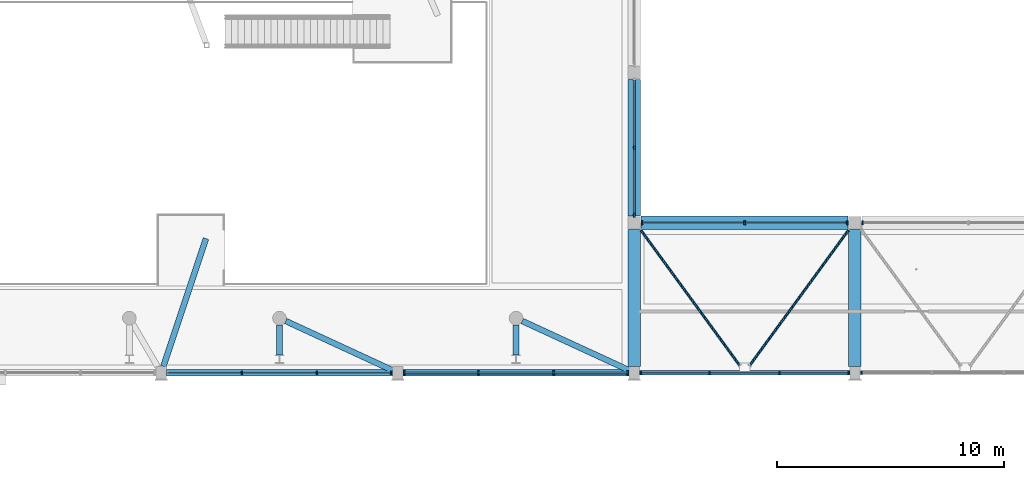
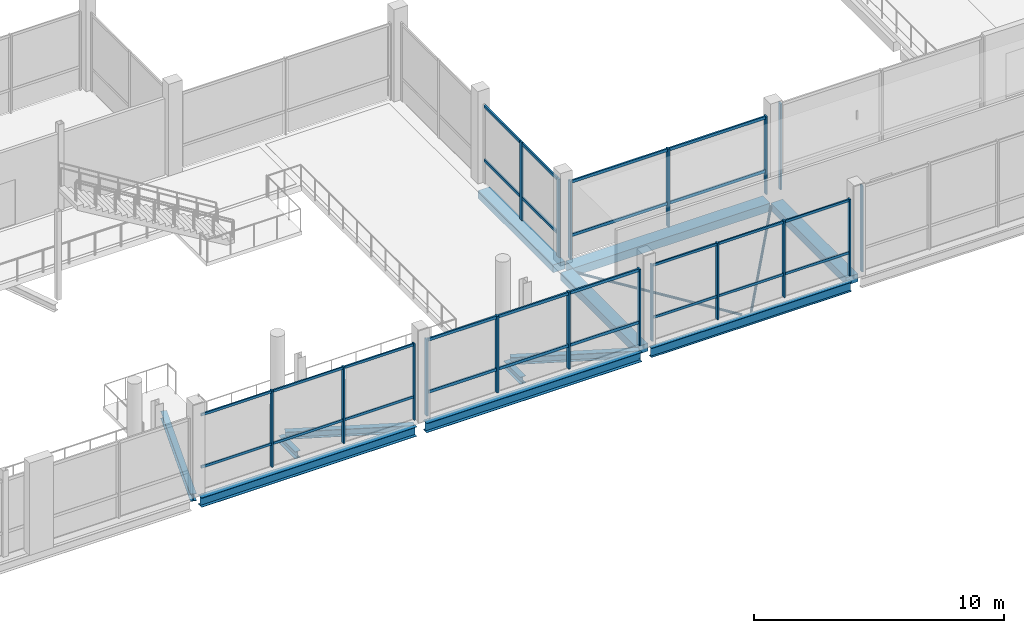
# One storey, part 29 of 95: 30 members, 12 beams, 7 elements without a shape of their own.
"""IFC4 building model written with IfcOpenShell, lengths in metres."""

from ifc_helpers import new_model, si_unit, derived_unit, direction, frame, origin, origin_2d, place, context, subcontext, project, spatial, rectangle, hollow_circle, i_section, extrude, material, material_profile, profile_set, type_object, element, aggregate, save


model = new_model("IFC4")

# Units and contexts
model_context = context("Model", 3, precision=1e-05, world=origin(), true_north=direction((0.0, 1.0)))
body_context = subcontext(model_context, "Body", "Model", "MODEL_VIEW")
ifc_project = project(units=[si_unit("LENGTHUNIT", "METRE"), si_unit("AREAUNIT", "SQUARE_METRE"), si_unit("VOLUMEUNIT", "CUBIC_METRE"), si_unit("PLANEANGLEUNIT", "RADIAN"), si_unit("MASSUNIT", "GRAM", prefix="KILO"), derived_unit("THERMALTRANSMITTANCEUNIT", [(si_unit("POWERUNIT", "WATT"), 1), (si_unit("LENGTHUNIT", "METRE"), -2), (si_unit("THERMODYNAMICTEMPERATUREUNIT", "KELVIN"), -1)])], contexts=[model_context])

# Site, building, storey
site_placement = place(None, origin())
site = spatial("IfcSite", under=ifc_project, at=site_placement, CompositionType="ELEMENT")
building_placement = place(site_placement, origin())
building = spatial("IfcBuilding", under=site, at=building_placement, Name="Braskholm Square Health Centre", CompositionType="ELEMENT")
storey_placement = place(building_placement, frame((0.0, 0.0, 4.800048828125)))
storey = spatial("IfcBuildingStorey", under=building, at=storey_placement, Name="L02", CompositionType="ELEMENT", Elevation=4.800048828125)

# Members
ifc_material_1 = material(Name="Steel ASTM A500 Grade C", Category="steel")
ifc_material_profile_1 = material_profile(ifc_material_1, hollow_circle(Radius=0.05712890625, WallThickness=0.005615234375, at=origin_2d()), Name="HSS4.500X0.237")
ifc_profile_set_1 = profile_set([ifc_material_profile_1], Name="Steel ASTM A500 Grade C")
member_type_1 = type_object("IfcMemberType", Name="CanopyBraceCHS114", PredefinedType="BRACE", material=ifc_profile_set_1)
for number, where, z_axis, x_axis, name in (
    (1, (120.679931640625, 93.47998046875, -0.449951171875), (0.589551927486, -0.807730477819, 0.0), (0.807730477819, 0.589551927486, 0.0), "Concourse arcade chevron brace 03A"),
    (2, (129.820068359375, 93.47998046875, -0.449951171875), (-0.589551927486, -0.807730477819, 0.0), (0.807730477819, -0.589551927486, 0.0), "Concourse arcade chevron brace 03B"),
):
    element("IfcMember", number, at=place(storey_placement, frame(where, z_axis=z_axis, x_axis=x_axis)), inside=storey, type_object=member_type_1, Name=name, PredefinedType="BRACE", context=body_context, shape_type="SweptSolid", body=[
        extrude(hollow_circle(Radius=0.05712890625, WallThickness=0.005615234375, at=origin_2d()), origin(), (0.0, 0.0, 1.0), 7.378662109375),
    ])

# Curtain wall, members
ifc_material_2 = material(Name="Low-E triple insulating glass (VLT 0.64)", Category="glass")
curtain_wall_type_1 = type_object("IfcCurtainWallType", Name="UnitisedCurtainWall6200x3800", PredefinedType="NOTDEFINED", material=ifc_material_2)
curtain_wall_1_placement = place(storey_placement, origin())
curtain_wall_1 = element("IfcCurtainWall", 3, at=curtain_wall_1_placement, inside=storey, type_object=curtain_wall_type_1, Name="Hall Gallery L02 unitised curtain wall CW-L02-0196", PredefinedType="NOTDEFINED")
ifc_material_3 = material(Name="Architectural bronze anodised aluminium", Category="aluminium")
ifc_material_profile_2 = material_profile(ifc_material_3, rectangle(XDim=0.06494140625, YDim=0.14990234375, at=origin_2d()), Name="ALU-65X150")
ifc_profile_set_2 = profile_set([ifc_material_profile_2], Name="Architectural bronze anodised aluminium")
member_type_2 = type_object("IfcMemberType", Name="CurtainWallMullion65x150", PredefinedType="MULLION", material=ifc_profile_set_2)
member_1_placement = place(storey_placement, frame((103.14404296875, 87.199951171875, 0.0), z_axis=(0.0, 0.0, 1.0), x_axis=(1.0, 0.0, 0.0)))
member_1 = element("IfcMember", 4, at=member_1_placement, type_object=member_type_2, Name="CW-L02-0196 vertical mullion 2", PredefinedType="MULLION", context=body_context, shape_type="SweptSolid", body=[
    extrude(rectangle(XDim=0.06494140625, YDim=0.14990234375, at=origin_2d()), origin(), (0.0, 0.0, 1.0), 3.737060546875),
])
member_2_placement = place(storey_placement, frame((106.4560546875, 87.199951171875, 0.0), z_axis=(0.0, 0.0, 1.0), x_axis=(1.0, 0.0, 0.0)))
member_2 = element("IfcMember", 5, at=member_2_placement, type_object=member_type_2, Name="CW-L02-0196 vertical mullion 3", PredefinedType="MULLION", context=body_context, shape_type="SweptSolid", body=[
    extrude(rectangle(XDim=0.06494140625, YDim=0.14990234375, at=origin_2d()), origin(), (0.0, 0.0, 1.0), 3.737060546875),
])
member_3_placement = place(storey_placement, frame((109.70849609375, 87.199951171875, 0.0), z_axis=(0.0, 0.0, 1.0), x_axis=(1.0, 0.0, 0.0)))
member_3 = element("IfcMember", 6, at=member_3_placement, type_object=member_type_2, Name="CW-L02-0196 vertical mullion 4", PredefinedType="MULLION", context=body_context, shape_type="SweptSolid", body=[
    extrude(rectangle(XDim=0.06494140625, YDim=0.14990234375, at=origin_2d()), origin(), (0.0, 0.0, 1.0), 3.737060546875),
])

curtain_wall_2_placement = place(storey_placement, origin())
curtain_wall_2 = element("IfcCurtainWall", 7, at=curtain_wall_2_placement, inside=storey, type_object=curtain_wall_type_1, Name="Hall Gallery L02 unitised curtain wall CW-L02-0202", PredefinedType="NOTDEFINED")
member_4_placement = place(storey_placement, frame((120.6875, 87.199951171875, 0.0), z_axis=(0.0, 0.0, 1.0), x_axis=(1.0, 0.0, 0.0)))
member_4 = element("IfcMember", 8, at=member_4_placement, type_object=member_type_2, Name="CW-L02-0202 vertical mullion 1", PredefinedType="MULLION", context=body_context, shape_type="SweptSolid", body=[
    extrude(rectangle(XDim=0.06494140625, YDim=0.14990234375, at=origin_2d()), origin(), (0.0, 0.0, 1.0), 3.739990234375),
])
member_5_placement = place(storey_placement, frame((123.710693359375, 87.199951171875, 0.0), z_axis=(0.0, 0.0, 1.0), x_axis=(1.0, 0.0, 0.0)))
member_5 = element("IfcMember", 9, at=member_5_placement, type_object=member_type_2, Name="CW-L02-0202 vertical mullion 2", PredefinedType="MULLION", context=body_context, shape_type="SweptSolid", body=[
    extrude(rectangle(XDim=0.06494140625, YDim=0.14990234375, at=origin_2d()), origin(), (0.0, 0.0, 1.0), 3.739990234375),
])
member_6_placement = place(storey_placement, frame((126.789306640625, 87.199951171875, 0.0), z_axis=(0.0, 0.0, 1.0), x_axis=(1.0, 0.0, 0.0)))
member_6 = element("IfcMember", 10, at=member_6_placement, type_object=member_type_2, Name="CW-L02-0202 vertical mullion 3", PredefinedType="MULLION", context=body_context, shape_type="SweptSolid", body=[
    extrude(rectangle(XDim=0.06494140625, YDim=0.14990234375, at=origin_2d()), origin(), (0.0, 0.0, 1.0), 3.739990234375),
])
member_7_placement = place(storey_placement, frame((129.8125, 87.199951171875, 0.0), z_axis=(0.0, 0.0, 1.0), x_axis=(1.0, 0.0, 0.0)))
member_7 = element("IfcMember", 11, at=member_7_placement, type_object=member_type_2, Name="CW-L02-0202 vertical mullion 4", PredefinedType="MULLION", context=body_context, shape_type="SweptSolid", body=[
    extrude(rectangle(XDim=0.06494140625, YDim=0.14990234375, at=origin_2d()), origin(), (0.0, 0.0, 1.0), 3.739990234375),
])

# Curtain wall, member
curtain_wall_type_2 = type_object("IfcCurtainWallType", Name="UnitisedCurtainWall6200x4100", PredefinedType="NOTDEFINED", material=ifc_material_2)
curtain_wall_3_placement = place(storey_placement, origin())
curtain_wall_3 = element("IfcCurtainWall", 12, at=curtain_wall_3_placement, inside=storey, type_object=curtain_wall_type_2, Name="Hall Gallery L02 unitised curtain wall CW-L02-0208", PredefinedType="NOTDEFINED")
member_8_placement = place(storey_placement, frame((130.388916015625, 87.199951171875, 0.0), z_axis=(0.0, 0.0, 1.0), x_axis=(1.0, 0.0, 0.0)))
member_8 = element("IfcMember", 13, at=member_8_placement, type_object=member_type_2, Name="CW-L02-0208 vertical mullion 1", PredefinedType="MULLION", context=body_context, shape_type="SweptSolid", body=[
    extrude(rectangle(XDim=0.06494140625, YDim=0.14990234375, at=origin_2d()), origin(), (0.0, 0.0, 1.0), 4.199951171875),
])
aggregate(curtain_wall_3, [member_8])

# Curtain wall, members
curtain_wall_4_placement = place(storey_placement, origin())
curtain_wall_4 = element("IfcCurtainWall", 14, at=curtain_wall_4_placement, inside=storey, type_object=curtain_wall_type_1, Name="Hall Gallery L02 unitised curtain wall CW-L02-0199", PredefinedType="NOTDEFINED")
ifc_material_profile_3 = material_profile(ifc_material_3, rectangle(XDim=0.074951171875, YDim=0.179931640625, at=origin_2d()), Name="ALU-75X180")
ifc_profile_set_3 = profile_set([ifc_material_profile_3], Name="Architectural bronze anodised aluminium")
member_type_3 = type_object("IfcMemberType", Name="CurtainWallMullion75x180", PredefinedType="MULLION", material=ifc_profile_set_3)
member_9_placement = place(storey_placement, frame((110.29150390625, 87.199951171875, 0.0), z_axis=(0.0, 0.0, 1.0), x_axis=(1.0, 0.0, 0.0)))
member_9 = element("IfcMember", 15, at=member_9_placement, type_object=member_type_3, Name="CW-L02-0199 vertical mullion 1", PredefinedType="MULLION", context=body_context, shape_type="SweptSolid", body=[
    extrude(rectangle(XDim=0.074951171875, YDim=0.179931640625, at=origin_2d()), origin(), (0.0, 0.0, 1.0), 3.737060546875),
])
member_10_placement = place(storey_placement, frame((113.5439453125, 87.199951171875, 0.0), z_axis=(0.0, 0.0, 1.0), x_axis=(1.0, 0.0, 0.0)))
member_10 = element("IfcMember", 16, at=member_10_placement, type_object=member_type_3, Name="CW-L02-0199 vertical mullion 2", PredefinedType="MULLION", context=body_context, shape_type="SweptSolid", body=[
    extrude(rectangle(XDim=0.074951171875, YDim=0.179931640625, at=origin_2d()), origin(), (0.0, 0.0, 1.0), 3.737060546875),
])
member_11_placement = place(storey_placement, frame((116.85595703125, 87.199951171875, 0.0), z_axis=(0.0, 0.0, 1.0), x_axis=(1.0, 0.0, 0.0)))
member_11 = element("IfcMember", 17, at=member_11_placement, type_object=member_type_3, Name="CW-L02-0199 vertical mullion 3", PredefinedType="MULLION", context=body_context, shape_type="SweptSolid", body=[
    extrude(rectangle(XDim=0.074951171875, YDim=0.179931640625, at=origin_2d()), origin(), (0.0, 0.0, 1.0), 3.737060546875),
])
member_12_placement = place(storey_placement, frame((120.1083984375, 87.199951171875, 0.0), z_axis=(0.0, 0.0, 1.0), x_axis=(1.0, 0.0, 0.0)))
member_12 = element("IfcMember", 18, at=member_12_placement, type_object=member_type_3, Name="CW-L02-0199 vertical mullion 4", PredefinedType="MULLION", context=body_context, shape_type="SweptSolid", body=[
    extrude(rectangle(XDim=0.074951171875, YDim=0.179931640625, at=origin_2d()), origin(), (0.0, 0.0, 1.0), 3.737060546875),
])

curtain_wall_5_placement = place(storey_placement, origin())
curtain_wall_5 = element("IfcCurtainWall", 19, at=curtain_wall_5_placement, inside=storey, type_object=curtain_wall_type_1, Name="Portal North L02 unitised curtain wall CW-L02-0205", PredefinedType="NOTDEFINED")
member_13_placement = place(storey_placement, frame((129.76806640625, 93.800048828125, 0.0), z_axis=(0.0, 0.0, 1.0), x_axis=(1.0, 0.0, 0.0)))
member_13 = element("IfcMember", 20, at=member_13_placement, type_object=member_type_3, Name="CW-L02-0205 vertical mullion 1", PredefinedType="MULLION", context=body_context, shape_type="SweptSolid", body=[
    extrude(rectangle(XDim=0.074951171875, YDim=0.179931640625, at=origin_2d()), origin(), (0.0, 0.0, 1.0), 3.800048828125),
])
member_14_placement = place(storey_placement, frame((125.25, 93.800048828125, 0.0), z_axis=(0.0, 0.0, 1.0), x_axis=(1.0, 0.0, 0.0)))
member_14 = element("IfcMember", 21, at=member_14_placement, type_object=member_type_3, Name="CW-L02-0205 vertical mullion 2", PredefinedType="MULLION", context=body_context, shape_type="SweptSolid", body=[
    extrude(rectangle(XDim=0.074951171875, YDim=0.179931640625, at=origin_2d()), origin(), (0.0, 0.0, 1.0), 3.800048828125),
])
member_15_placement = place(storey_placement, frame((120.73193359375, 93.800048828125, 0.0), z_axis=(0.0, 0.0, 1.0), x_axis=(1.0, 0.0, 0.0)))
member_15 = element("IfcMember", 22, at=member_15_placement, type_object=member_type_3, Name="CW-L02-0205 vertical mullion 3", PredefinedType="MULLION", context=body_context, shape_type="SweptSolid", body=[
    extrude(rectangle(XDim=0.074951171875, YDim=0.179931640625, at=origin_2d()), origin(), (0.0, 0.0, 1.0), 3.800048828125),
])

# Curtain wall, member
curtain_wall_6_placement = place(storey_placement, origin())
curtain_wall_6 = element("IfcCurtainWall", 23, at=curtain_wall_6_placement, inside=storey, type_object=curtain_wall_type_2, Name="Portal North L02 unitised curtain wall CW-L02-0211", PredefinedType="NOTDEFINED")
member_16_placement = place(storey_placement, frame((130.43359375, 93.800048828125, 0.0), z_axis=(0.0, 0.0, 1.0), x_axis=(1.0, 0.0, 0.0)))
member_16 = element("IfcMember", 24, at=member_16_placement, type_object=member_type_3, Name="CW-L02-0211 vertical mullion 3", PredefinedType="MULLION", context=body_context, shape_type="SweptSolid", body=[
    extrude(rectangle(XDim=0.074951171875, YDim=0.179931640625, at=origin_2d()), origin(), (0.0, 0.0, 1.0), 4.199951171875),
])
aggregate(curtain_wall_6, [member_16])

# Curtain wall, members
curtain_wall_7_placement = place(storey_placement, origin())
curtain_wall_7 = element("IfcCurtainWall", 25, at=curtain_wall_7_placement, inside=storey, type_object=curtain_wall_type_1, Name="Hall Cheek L02 unitised curtain wall CW-L02-0223", PredefinedType="NOTDEFINED")
member_17_placement = place(storey_placement, frame((120.39990234375, 94.135986328125, 0.0), z_axis=(0.0, 0.0, 1.0), x_axis=(1.0, 0.0, 0.0)))
member_17 = element("IfcMember", 26, at=member_17_placement, type_object=member_type_3, Name="CW-L02-0223 vertical mullion 1", PredefinedType="MULLION", context=body_context, shape_type="SweptSolid", body=[
    extrude(rectangle(XDim=0.074951171875, YDim=0.179931640625, at=origin_2d()), origin(), (0.0, 0.0, 1.0), 3.820068359375),
])
member_18_placement = place(storey_placement, frame((120.39990234375, 97.10009765625, 0.0), z_axis=(0.0, 0.0, 1.0), x_axis=(1.0, 0.0, 0.0)))
member_18 = element("IfcMember", 27, at=member_18_placement, type_object=member_type_3, Name="CW-L02-0223 vertical mullion 2", PredefinedType="MULLION", context=body_context, shape_type="SweptSolid", body=[
    extrude(rectangle(XDim=0.074951171875, YDim=0.179931640625, at=origin_2d()), origin(), (0.0, 0.0, 1.0), 3.820068359375),
])

# Member
ifc_material_profile_4 = material_profile(ifc_material_3, rectangle(XDim=0.06494140625, YDim=0.1201171875, at=origin_2d()), Name="ALU-65X120")
ifc_profile_set_4 = profile_set([ifc_material_profile_4], Name="Architectural bronze anodised aluminium")
member_type_4 = type_object("IfcMemberType", Name="CurtainWallTransom65x120", PredefinedType="USERDEFINED", material=ifc_profile_set_4)
member_19_placement = place(storey_placement, frame((99.876953125, 87.199951171875, 1.119873046875), z_axis=(1.0, 0.0, 0.0), x_axis=(0.0, 1.0, 0.0)))
member_19 = element("IfcMember", 28, at=member_19_placement, type_object=member_type_4, Name="CW-L02-0196 horizontal transom 1", ObjectType="TRANSOM", PredefinedType="USERDEFINED", context=body_context, shape_type="SweptSolid", body=[
    extrude(rectangle(XDim=0.06494140625, YDim=0.1201171875, at=origin_2d()), origin(), (0.0, 0.0, 1.0), 9.845947265625),
])

member_20_placement = place(storey_placement, frame((99.876953125, 87.199951171875, 3.6669921875), z_axis=(1.0, 0.0, 0.0), x_axis=(0.0, 1.0, 0.0)))
member_20 = element("IfcMember", 29, at=member_20_placement, type_object=member_type_4, Name="CW-L02-0196 horizontal transom 2", ObjectType="TRANSOM", PredefinedType="USERDEFINED", context=body_context, shape_type="SweptSolid", body=[
    extrude(rectangle(XDim=0.06494140625, YDim=0.1201171875, at=origin_2d()), origin(), (0.0, 0.0, 1.0), 9.845947265625),
])

aggregate(curtain_wall_1, [member_1, member_2, member_3, member_19, member_20])

member_21_placement = place(storey_placement, frame((120.677001953125, 87.199951171875, 1.119873046875), z_axis=(1.0, 0.0, 0.0), x_axis=(0.0, 1.0, 0.0)))
member_21 = element("IfcMember", 30, at=member_21_placement, type_object=member_type_4, Name="CW-L02-0202 horizontal transom 1", ObjectType="TRANSOM", PredefinedType="USERDEFINED", context=body_context, shape_type="SweptSolid", body=[
    extrude(rectangle(XDim=0.06494140625, YDim=0.1201171875, at=origin_2d()), origin(), (0.0, 0.0, 1.0), 9.14599609375),
])

member_22_placement = place(storey_placement, frame((120.677001953125, 87.199951171875, 3.669921875), z_axis=(1.0, 0.0, 0.0), x_axis=(0.0, 1.0, 0.0)))
member_22 = element("IfcMember", 31, at=member_22_placement, type_object=member_type_4, Name="CW-L02-0202 horizontal transom 2", ObjectType="TRANSOM", PredefinedType="USERDEFINED", context=body_context, shape_type="SweptSolid", body=[
    extrude(rectangle(XDim=0.06494140625, YDim=0.1201171875, at=origin_2d()), origin(), (0.0, 0.0, 1.0), 9.14599609375),
])

aggregate(curtain_wall_2, [member_4, member_5, member_6, member_7, member_21, member_22])

ifc_material_profile_5 = material_profile(ifc_material_3, rectangle(XDim=0.074951171875, YDim=0.139892578125, at=origin_2d()), Name="ALU-75X140")
ifc_profile_set_5 = profile_set([ifc_material_profile_5], Name="Architectural bronze anodised aluminium")
member_type_5 = type_object("IfcMemberType", Name="CurtainWallTransom75x140", PredefinedType="USERDEFINED", material=ifc_profile_set_5)
member_23_placement = place(storey_placement, frame((110.277099609375, 87.199951171875, 1.119873046875), z_axis=(1.0, 0.0, 0.0), x_axis=(0.0, 1.0, 0.0)))
member_23 = element("IfcMember", 32, at=member_23_placement, type_object=member_type_5, Name="CW-L02-0199 horizontal transom 1", ObjectType="TRANSOM", PredefinedType="USERDEFINED", context=body_context, shape_type="SweptSolid", body=[
    extrude(rectangle(XDim=0.074951171875, YDim=0.139892578125, at=origin_2d()), origin(), (0.0, 0.0, 1.0), 9.845947265625),
])

member_24_placement = place(storey_placement, frame((110.277099609375, 87.199951171875, 3.6669921875), z_axis=(1.0, 0.0, 0.0), x_axis=(0.0, 1.0, 0.0)))
member_24 = element("IfcMember", 33, at=member_24_placement, type_object=member_type_5, Name="CW-L02-0199 horizontal transom 2", ObjectType="TRANSOM", PredefinedType="USERDEFINED", context=body_context, shape_type="SweptSolid", body=[
    extrude(rectangle(XDim=0.074951171875, YDim=0.139892578125, at=origin_2d()), origin(), (0.0, 0.0, 1.0), 9.845947265625),
])

aggregate(curtain_wall_4, [member_9, member_10, member_11, member_12, member_23, member_24])

member_25_placement = place(storey_placement, frame((129.778076171875, 93.800048828125, 1.119873046875), z_axis=(-1.0, 0.0, 0.0), x_axis=(0.0, -1.0, 0.0)))
member_25 = element("IfcMember", 34, at=member_25_placement, type_object=member_type_5, Name="CW-L02-0205 horizontal transom 1", ObjectType="TRANSOM", PredefinedType="USERDEFINED", context=body_context, shape_type="SweptSolid", body=[
    extrude(rectangle(XDim=0.074951171875, YDim=0.139892578125, at=origin_2d()), origin(), (0.0, 0.0, 1.0), 9.05615234375),
])

member_26_placement = place(storey_placement, frame((129.778076171875, 93.800048828125, 3.72998046875), z_axis=(-1.0, 0.0, 0.0), x_axis=(0.0, -1.0, 0.0)))
member_26 = element("IfcMember", 35, at=member_26_placement, type_object=member_type_5, Name="CW-L02-0205 horizontal transom 2", ObjectType="TRANSOM", PredefinedType="USERDEFINED", context=body_context, shape_type="SweptSolid", body=[
    extrude(rectangle(XDim=0.074951171875, YDim=0.139892578125, at=origin_2d()), origin(), (0.0, 0.0, 1.0), 9.05615234375),
])

aggregate(curtain_wall_5, [member_13, member_14, member_15, member_25, member_26])

member_27_placement = place(storey_placement, frame((120.39990234375, 94.14501953125, 1.119873046875), z_axis=(0.0, 1.0, 0.0), x_axis=(-1.0, 0.0, 0.0)))
member_27 = element("IfcMember", 36, at=member_27_placement, type_object=member_type_5, Name="CW-L02-0223 horizontal transom 1", ObjectType="TRANSOM", PredefinedType="USERDEFINED", context=body_context, shape_type="SweptSolid", body=[
    extrude(rectangle(XDim=0.074951171875, YDim=0.139892578125, at=origin_2d()), origin(), (0.0, 0.0, 1.0), 5.909912109375),
])

member_28_placement = place(storey_placement, frame((120.39990234375, 94.14501953125, 3.75), z_axis=(0.0, 1.0, 0.0), x_axis=(-1.0, 0.0, 0.0)))
member_28 = element("IfcMember", 37, at=member_28_placement, type_object=member_type_5, Name="CW-L02-0223 horizontal transom 2", ObjectType="TRANSOM", PredefinedType="USERDEFINED", context=body_context, shape_type="SweptSolid", body=[
    extrude(rectangle(XDim=0.074951171875, YDim=0.139892578125, at=origin_2d()), origin(), (0.0, 0.0, 1.0), 5.909912109375),
])

aggregate(curtain_wall_7, [member_17, member_18, member_27, member_28])

# Beams
ifc_material_4 = material(Name="Concrete C35/45 (f'c = 35 MPa)", Category="concrete")
ifc_material_profile_6 = material_profile(ifc_material_4, rectangle(XDim=0.550048828125, YDim=0.3798828125, at=origin_2d()), Name="RCB-550X380")
ifc_profile_set_6 = profile_set([ifc_material_profile_6], Name="Concrete C35/45 (f'c = 35 MPa)")
beam_type_1 = type_object("IfcBeamType", Name="PrimaryBandBeam550x380", PredefinedType="BEAM", material=ifc_profile_set_6)
beam_1_placement = place(storey_placement, frame((120.39990234375, 87.47998046875, -0.489990234375), z_axis=(0.0, 1.0, 0.0), x_axis=(-1.0, 0.0, 0.0)))
element("IfcBeam", 38, at=beam_1_placement, inside=storey, type_object=beam_type_1, Name="Beam 15/N-P L02", PredefinedType="BEAM", context=body_context, shape_type="SweptSolid", body=[
    extrude(rectangle(XDim=0.550048828125, YDim=0.3798828125, at=origin_2d()), origin(), (0.0, 0.0, 1.0), 6.02001953125),
])
beam_2_placement = place(storey_placement, frame((120.39990234375, 94.10009765625, -0.489990234375), z_axis=(0.0, 1.0, 0.0), x_axis=(-1.0, 0.0, 0.0)))
element("IfcBeam", 39, at=beam_2_placement, inside=storey, type_object=beam_type_1, Name="Beam 15/P-Q L02", PredefinedType="BEAM", context=body_context, shape_type="SweptSolid", body=[
    extrude(rectangle(XDim=0.550048828125, YDim=0.3798828125, at=origin_2d()), origin(), (0.0, 0.0, 1.0), 6.0),
])
beam_3_placement = place(storey_placement, frame((130.10009765625, 87.47998046875, -0.489990234375), z_axis=(0.0, 1.0, 0.0), x_axis=(-1.0, 0.0, 0.0)))
element("IfcBeam", 40, at=beam_3_placement, inside=storey, type_object=beam_type_1, Name="Beam 16/N-P L02", PredefinedType="BEAM", context=body_context, shape_type="SweptSolid", body=[
    extrude(rectangle(XDim=0.550048828125, YDim=0.3798828125, at=origin_2d()), origin(), (0.0, 0.0, 1.0), 6.02001953125),
])
ifc_material_profile_7 = material_profile(ifc_material_4, rectangle(XDim=0.60009765625, YDim=0.39990234375, at=origin_2d()), Name="RCB-600X400")
ifc_profile_set_7 = profile_set([ifc_material_profile_7], Name="Concrete C35/45 (f'c = 35 MPa)")
beam_type_2 = type_object("IfcBeamType", Name="PrimaryBandBeam600x400", PredefinedType="BEAM", material=ifc_profile_set_7)
beam_4_placement = place(storey_placement, frame((120.699951171875, 93.800048828125, -0.5), z_axis=(1.0, 0.0, 0.0), x_axis=(0.0, 1.0, 0.0)))
element("IfcBeam", 41, at=beam_4_placement, inside=storey, type_object=beam_type_2, Name="Beam 15-16/P L02", PredefinedType="BEAM", context=body_context, shape_type="SweptSolid", body=[
    extrude(rectangle(XDim=0.60009765625, YDim=0.39990234375, at=origin_2d()), origin(), (0.0, 0.0, 1.0), 9.10009765625),
])
ifc_material_5 = material(Name="Steel ASTM A992 Grade 50", Category="steel")
ifc_material_profile_8 = material_profile(ifc_material_5, i_section(OverallWidth=0.2548828125, OverallDepth=0.35693359375, WebThickness=0.010498046875, FlangeThickness=0.018310546875, at=origin_2d()), Name="W14X68")
ifc_profile_set_8 = profile_set([ifc_material_profile_8], Name="Steel ASTM A992 Grade 50")
beam_type_3 = type_object("IfcBeamType", Name="SteelBeamCanopyW14X68", PredefinedType="BEAM", material=ifc_profile_set_8)
for number, where, z_axis, x_axis, name in (
    (42, (105.070556640625, 89.47509765625, -0.478515625), (0.907966284726, -0.419043226649, 0.0), (0.419043226649, 0.907966284726, 0.0), "Tie beam RC05 L02"),
    (43, (115.470703125, 89.47509765625, -0.478515625), (0.907966284726, -0.419043226649, 0.0), (0.419043226649, 0.907966284726, 0.0), "Tie beam RC06 L02"),
):
    element("IfcBeam", number, at=place(storey_placement, frame(where, z_axis=z_axis, x_axis=x_axis)), inside=storey, type_object=beam_type_3, Name=name, PredefinedType="BEAM", context=body_context, shape_type="SweptSolid", body=[
        extrude(i_section(OverallWidth=0.2548828125, OverallDepth=0.35693359375, WebThickness=0.010498046875, FlangeThickness=0.018310546875, at=origin_2d()), origin(), (0.0, 0.0, 1.0), 5.177734375),
    ])
for number, where, z_axis, x_axis, name in (
    (44, (104.800048828125, 87.97607421875, -0.478515625), (0.0, 1.0, 0.0), (-1.0, 0.0, 0.0), "Tie beam CS1E L02"),
    (45, (115.199951171875, 87.97607421875, -0.478515625), (0.0, 1.0, 0.0), (-1.0, 0.0, 0.0), "Tie beam CS1F L02"),
):
    element("IfcBeam", number, at=place(storey_placement, frame(where, z_axis=z_axis, x_axis=x_axis)), inside=storey, type_object=beam_type_3, Name=name, PredefinedType="BEAM", context=body_context, shape_type="SweptSolid", body=[
        extrude(i_section(OverallWidth=0.2548828125, OverallDepth=0.35693359375, WebThickness=0.010498046875, FlangeThickness=0.018310546875, at=origin_2d()), origin(), (0.0, 0.0, 1.0), 1.325927734375),
    ])
beam_5_placement = place(storey_placement, frame((101.56689453125, 93.100341796875, -0.478515625), z_axis=(-0.31625248279, -0.948675058768, 0.0), x_axis=(0.948675058768, -0.31625248279, 0.0)))
element("IfcBeam", 46, at=beam_5_placement, inside=storey, type_object=beam_type_3, Name="Tie beam CS3B L02", PredefinedType="BEAM", context=body_context, shape_type="SweptSolid", body=[
    extrude(i_section(OverallWidth=0.2548828125, OverallDepth=0.35693359375, WebThickness=0.010498046875, FlangeThickness=0.018310546875, at=origin_2d()), origin(), (0.0, 0.0, 1.0), 5.926513671875),
])
ifc_material_profile_9 = material_profile(ifc_material_5, i_section(OverallWidth=0.280029296875, OverallDepth=0.462890625, WebThickness=0.0107421875, FlangeThickness=0.017333984375, at=origin_2d()), Name="W18X76")
ifc_profile_set_9 = profile_set([ifc_material_profile_9], Name="Steel ASTM A992 Grade 50")
beam_type_4 = type_object("IfcBeamType", Name="SteelGirderGalleryW18X76", PredefinedType="BEAM", material=ifc_profile_set_9)
for number, where, z_axis, x_axis, name in (
    (47, (99.830078125, 87.199951171875, -0.531494140625), (1.0, 0.0, 0.0), (0.0, 1.0, 0.0), "Beam 13-14/N L02"),
    (48, (110.22998046875, 87.199951171875, -0.531494140625), (1.0, 0.0, 0.0), (0.0, 1.0, 0.0), "Beam 14-15/N L02"),
):
    element("IfcBeam", number, at=place(storey_placement, frame(where, z_axis=z_axis, x_axis=x_axis)), inside=storey, type_object=beam_type_4, Name=name, PredefinedType="BEAM", context=body_context, shape_type="SweptSolid", body=[
        extrude(i_section(OverallWidth=0.280029296875, OverallDepth=0.462890625, WebThickness=0.0107421875, FlangeThickness=0.017333984375, at=origin_2d()), origin(), (0.0, 0.0, 1.0), 9.93994140625),
    ])
ifc_material_profile_10 = material_profile(ifc_material_5, i_section(OverallWidth=0.19091796875, OverallDepth=0.4599609375, WebThickness=0.010009765625, FlangeThickness=0.01611328125, at=origin_2d()), Name="W18X55")
ifc_profile_set_10 = profile_set([ifc_material_profile_10], Name="Steel ASTM A992 Grade 50")
beam_type_5 = type_object("IfcBeamType", Name="SteelGirderLinkW18X55", PredefinedType="BEAM", material=ifc_profile_set_10)
beam_6_placement = place(storey_placement, frame((120.6298828125, 87.199951171875, -0.530029296875), z_axis=(1.0, 0.0, 0.0), x_axis=(0.0, 1.0, 0.0)))
element("IfcBeam", 49, at=beam_6_placement, inside=storey, type_object=beam_type_5, Name="Beam 15-16/N L02", PredefinedType="BEAM", context=body_context, shape_type="SweptSolid", body=[
    extrude(i_section(OverallWidth=0.19091796875, OverallDepth=0.4599609375, WebThickness=0.010009765625, FlangeThickness=0.01611328125, at=origin_2d()), origin(), (0.0, 0.0, 1.0), 9.240234375),
])

save(model, "model.ifc")
